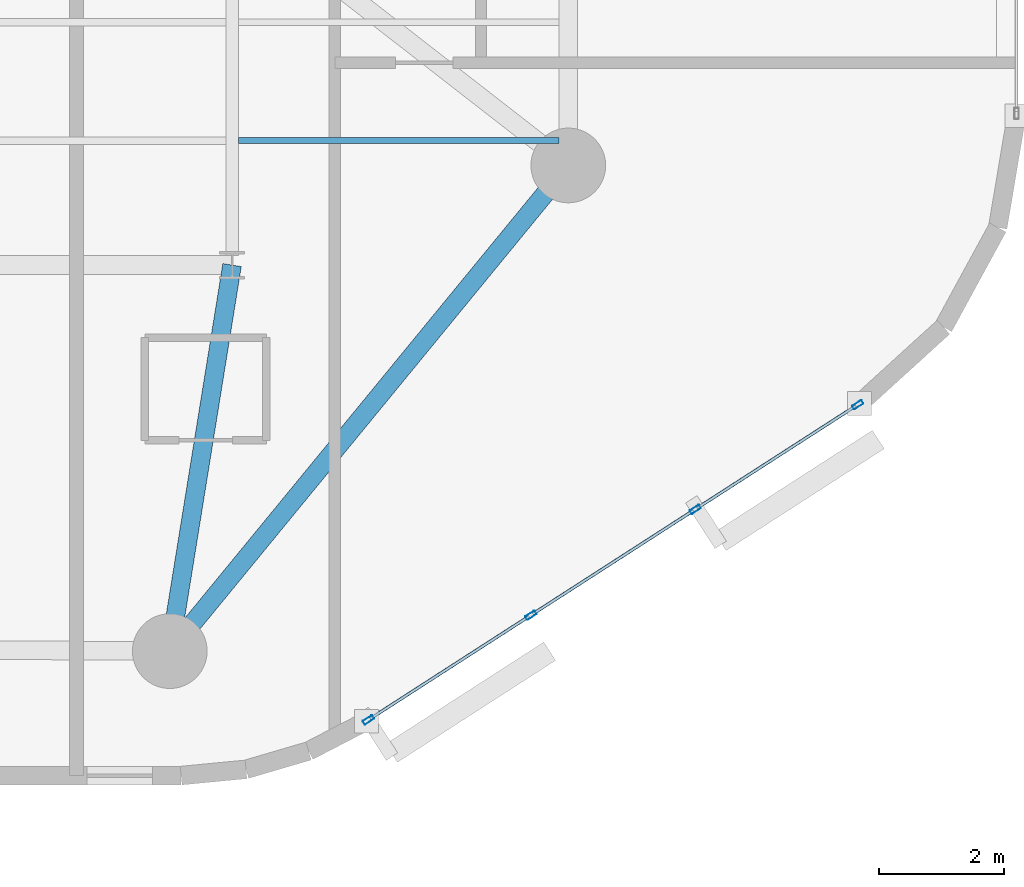
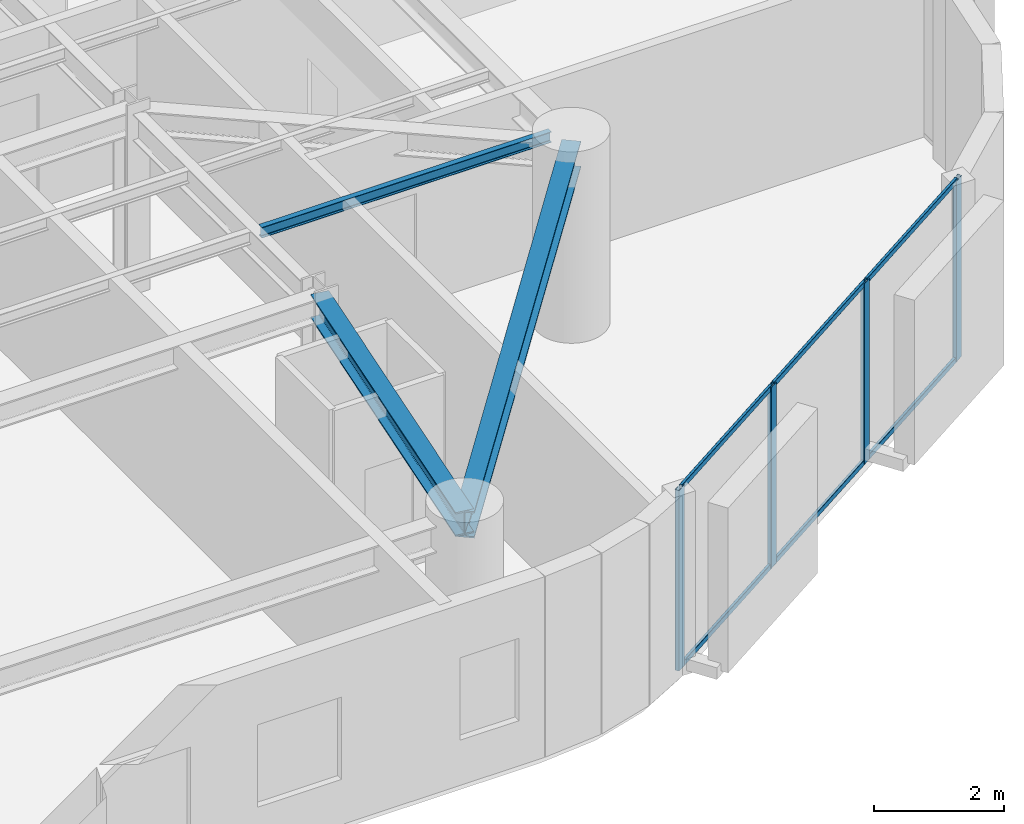
# One storey, part 2 of 15: 10 members, 3 beams, 1 element without a shape of its own.
"""IFC4 building model written with IfcOpenShell, lengths in metres."""

from ifc_helpers import new_model, si_unit, direction, frame, origin, origin_2d, place, context, subcontext, project, spatial, hollow_rectangle, i_section, extrude, material, layer, layer_set, material_profile, profile_set, type_object, element, aggregate, save


model = new_model("IFC4")

# Units and contexts
model_context = context("Model", 3, precision=1e-05, world=origin(), true_north=direction((0.0, 1.0)))
body_context = subcontext(model_context, "Body", "Model", "MODEL_VIEW")
ifc_project = project(units=[si_unit("LENGTHUNIT", "METRE"), si_unit("AREAUNIT", "SQUARE_METRE"), si_unit("VOLUMEUNIT", "CUBIC_METRE"), si_unit("PLANEANGLEUNIT", "RADIAN"), si_unit("MASSUNIT", "GRAM", prefix="KILO")], contexts=[model_context])

# Site, building, storey
site_placement = place(None, origin())
site = spatial("IfcSite", under=ifc_project, at=site_placement, CompositionType="ELEMENT")
building_placement = place(site_placement, origin())
building = spatial("IfcBuilding", under=site, at=building_placement, Name="An Khanh Terracotta Commons", CompositionType="ELEMENT")
storey_placement = place(building_placement, frame((0.0, 0.0, 143.800048828125)))
storey = spatial("IfcBuildingStorey", under=building, at=storey_placement, Name="L37", CompositionType="ELEMENT", Elevation=143.800048828125)

# Beams
ifc_material_1 = material(Name="Steel S355J2", Category="steel")
ifc_material_profile_1 = material_profile(ifc_material_1, i_section(OverallWidth=0.300048828125, OverallDepth=0.449951171875, WebThickness=0.013916015625, FlangeThickness=0.02587890625, FilletRadius=0.027099609375, at=origin_2d()), Name="HEB450")
ifc_profile_set_1 = profile_set([ifc_material_profile_1], Name="Steel S355J2")
beam_type_1 = type_object("IfcBeamType", Name="BM-HEB450", PredefinedType="BEAM", material=ifc_profile_set_1)
beam_1_placement = place(storey_placement, frame((49.39990234375, 8.199951171875, 3.175048828125), z_axis=(0.159233661074, 0.987240923575, 0.0), x_axis=(-0.987240923575, 0.159233661074, 0.0)))
element("IfcBeam", 1, at=beam_1_placement, inside=storey, type_object=beam_type_1, Name="L37 Mega-Column Tie Girder 2", PredefinedType="BEAM", context=body_context, shape_type="SweptSolid", body=[
    extrude(i_section(OverallWidth=0.300048828125, OverallDepth=0.449951171875, WebThickness=0.013916015625, FlangeThickness=0.02587890625, FilletRadius=0.027099609375, at=origin_2d()), origin(), (0.0, 0.0, 1.0), 6.280029296875),
])
ifc_material_profile_2 = material_profile(ifc_material_1, i_section(OverallWidth=0.300048828125, OverallDepth=0.5, WebThickness=0.014404296875, FlangeThickness=0.028076171875, FilletRadius=0.027099609375, at=origin_2d()), Name="HEB500")
ifc_profile_set_2 = profile_set([ifc_material_profile_2], Name="Steel S355J2")
beam_type_2 = type_object("IfcBeamType", Name="BM-HEB500", PredefinedType="BEAM", material=ifc_profile_set_2)
beam_2_placement = place(storey_placement, frame((49.39990234375, 8.199951171875, 3.14990234375), z_axis=(0.634322915223, 0.7730681983, 0.0), x_axis=(-0.7730681983, 0.634322915223, 0.0)))
element("IfcBeam", 2, at=beam_2_placement, inside=storey, type_object=beam_type_2, Name="L37 Perimeter Ring Spandrel 2", PredefinedType="BEAM", context=body_context, shape_type="SweptSolid", body=[
    extrude(i_section(OverallWidth=0.300048828125, OverallDepth=0.5, WebThickness=0.014404296875, FlangeThickness=0.028076171875, FilletRadius=0.027099609375, at=origin_2d()), origin(), (0.0, 0.0, 1.0), 10.08984375),
])
ifc_material_profile_3 = material_profile(ifc_material_1, i_section(OverallWidth=0.10009765625, OverallDepth=0.199951171875, WebThickness=0.005615234375, FlangeThickness=0.008544921875, FilletRadius=0.011962890625, at=origin_2d()), Name="IPE200")
ifc_profile_set_3 = profile_set([ifc_material_profile_3], Name="Steel S355J2")
beam_type_3 = type_object("IfcBeamType", Name="BM-IPE200", PredefinedType="JOIST", material=ifc_profile_set_3)
beam_3_placement = place(storey_placement, frame((50.5, 16.39990234375, 3.300048828125), z_axis=(1.0, 0.0, 0.0), x_axis=(0.0, 1.0, 0.0)))
element("IfcBeam", 3, at=beam_3_placement, inside=storey, type_object=beam_type_3, Name="L37 Riverfront Composite Joist 1", PredefinedType="JOIST", context=body_context, shape_type="SweptSolid", body=[
    extrude(i_section(OverallWidth=0.10009765625, OverallDepth=0.199951171875, WebThickness=0.005615234375, FlangeThickness=0.008544921875, FilletRadius=0.011962890625, at=origin_2d()), origin(), (0.0, 0.0, 1.0), 5.14990234375),
])

# Curtain wall, members
ifc_material_2 = material(Name="Anodised Aluminium 6063-T6", Category="aluminium")
ifc_layer = layer(ifc_material_2, 0.2099609375, Name="Anodised Aluminium 6063-T6")
ifc_layer_set = layer_set([ifc_layer], Name="Anodised Aluminium 6063-T6")
curtain_wall_type = type_object("IfcCurtainWallType", Name="CW-SYS-03", PredefinedType="USERDEFINED", material=ifc_layer_set)
curtain_wall_placement = place(storey_placement, origin())
curtain_wall = element("IfcCurtainWall", 4, at=curtain_wall_placement, inside=storey, type_object=curtain_wall_type, Name="L37 CW-03 Unitised Curtain Wall CW-L37-08", ObjectType="UNITISED CURTAIN WALL", PredefinedType="USERDEFINED")
ifc_material_profile_4 = material_profile(ifc_material_2, hollow_rectangle(XDim=0.070068359375, YDim=0.179931640625, WallThickness=0.00390625, InnerFilletRadius=0.00390625, OuterFilletRadius=0.008056640625, at=origin_2d()), Name="RHS180x70x4")
ifc_profile_set_4 = profile_set([ifc_material_profile_4], Name="Anodised Aluminium 6063-T6")
member_type_1 = type_object("IfcMemberType", Name="CWM-RHS180x70x4", PredefinedType="MULLION", material=ifc_profile_set_4)
member_1_placement = place(storey_placement, frame((52.58935546875, 7.094970703125, 0.0), z_axis=(0.0, 0.0, 1.0), x_axis=(-0.541497931062, 0.840702081986, 0.0)))
member_1 = element("IfcMember", 5, at=member_1_placement, type_object=member_type_1, Name="CW-03 mullion 1", PredefinedType="MULLION", context=body_context, shape_type="SweptSolid", body=[
    extrude(hollow_rectangle(XDim=0.070068359375, YDim=0.179931640625, WallThickness=0.00390625, InnerFilletRadius=0.00390625, OuterFilletRadius=0.008056640625, at=origin_2d()), origin(), (0.0, 0.0, 1.0), 3.39990234375),
])
member_2_placement = place(storey_placement, frame((55.19921875, 8.77587890625, 0.0), z_axis=(0.0, 0.0, 1.0), x_axis=(-0.541497931062, 0.840702081986, 0.0)))
member_2 = element("IfcMember", 6, at=member_2_placement, type_object=member_type_1, Name="CW-03 mullion 2", PredefinedType="MULLION", context=body_context, shape_type="SweptSolid", body=[
    extrude(hollow_rectangle(XDim=0.070068359375, YDim=0.179931640625, WallThickness=0.00390625, InnerFilletRadius=0.00390625, OuterFilletRadius=0.008056640625, at=origin_2d()), origin(), (0.0, 0.0, 1.0), 3.39990234375),
])
member_3_placement = place(storey_placement, frame((57.838623046875, 10.47607421875, 0.0), z_axis=(0.0, 0.0, 1.0), x_axis=(-0.541497931062, 0.840702081986, 0.0)))
member_3 = element("IfcMember", 7, at=member_3_placement, type_object=member_type_1, Name="CW-03 mullion 3", PredefinedType="MULLION", context=body_context, shape_type="SweptSolid", body=[
    extrude(hollow_rectangle(XDim=0.070068359375, YDim=0.179931640625, WallThickness=0.00390625, InnerFilletRadius=0.00390625, OuterFilletRadius=0.008056640625, at=origin_2d()), origin(), (0.0, 0.0, 1.0), 3.39990234375),
])
member_4_placement = place(storey_placement, frame((60.448486328125, 12.156982421875, 0.0), z_axis=(0.0, 0.0, 1.0), x_axis=(-0.541497931062, 0.840702081986, 0.0)))
member_4 = element("IfcMember", 8, at=member_4_placement, type_object=member_type_1, Name="CW-03 mullion 4", PredefinedType="MULLION", context=body_context, shape_type="SweptSolid", body=[
    extrude(hollow_rectangle(XDim=0.070068359375, YDim=0.179931640625, WallThickness=0.00390625, InnerFilletRadius=0.00390625, OuterFilletRadius=0.008056640625, at=origin_2d()), origin(), (0.0, 0.0, 1.0), 3.39990234375),
])
ifc_material_profile_5 = material_profile(ifc_material_2, hollow_rectangle(XDim=0.050048828125, YDim=0.10009765625, WallThickness=0.003173828125, InnerFilletRadius=0.003173828125, OuterFilletRadius=0.00634765625, at=origin_2d()), Name="RHS100x50x3.2")
ifc_profile_set_5 = profile_set([ifc_material_profile_5], Name="Anodised Aluminium 6063-T6")
member_type_2 = type_object("IfcMemberType", Name="CWT-RHS100x50x3.2", PredefinedType="USERDEFINED", material=ifc_profile_set_5)
member_5_placement = place(storey_placement, frame((52.618896484375, 7.114013671875, 0.02490234375), z_axis=(0.840710223453, 0.541485290826, 0.0), x_axis=(-0.541485290826, 0.840710223453, 0.0)))
member_5 = element("IfcMember", 9, at=member_5_placement, type_object=member_type_2, Name="CW-03 transom 1.1", ObjectType="TRANSOM", PredefinedType="USERDEFINED", context=body_context, shape_type="SweptSolid", body=[
    extrude(hollow_rectangle(XDim=0.050048828125, YDim=0.10009765625, WallThickness=0.003173828125, InnerFilletRadius=0.003173828125, OuterFilletRadius=0.00634765625, at=origin_2d()), origin(), (0.0, 0.0, 1.0), 3.034423828125),
])
member_6_placement = place(storey_placement, frame((52.618896484375, 7.114013671875, 3.375), z_axis=(0.840710223453, 0.541485290826, 0.0), x_axis=(-0.541485290826, 0.840710223453, 0.0)))
member_6 = element("IfcMember", 10, at=member_6_placement, type_object=member_type_2, Name="CW-03 transom 1.2", ObjectType="TRANSOM", PredefinedType="USERDEFINED", context=body_context, shape_type="SweptSolid", body=[
    extrude(hollow_rectangle(XDim=0.050048828125, YDim=0.10009765625, WallThickness=0.003173828125, InnerFilletRadius=0.003173828125, OuterFilletRadius=0.00634765625, at=origin_2d()), origin(), (0.0, 0.0, 1.0), 3.034423828125),
])
member_7_placement = place(storey_placement, frame((55.228759765625, 8.794921875, 0.02490234375), z_axis=(0.840707825526, 0.54148901383, 0.0), x_axis=(-0.54148901383, 0.840707825526, 0.0)))
member_7 = element("IfcMember", 11, at=member_7_placement, type_object=member_type_2, Name="CW-03 transom 2.1", ObjectType="TRANSOM", PredefinedType="USERDEFINED", context=body_context, shape_type="SweptSolid", body=[
    extrude(hollow_rectangle(XDim=0.050048828125, YDim=0.10009765625, WallThickness=0.003173828125, InnerFilletRadius=0.003173828125, OuterFilletRadius=0.00634765625, at=origin_2d()), origin(), (0.0, 0.0, 1.0), 3.069580078125),
])
member_8_placement = place(storey_placement, frame((55.228759765625, 8.794921875, 3.375), z_axis=(0.840707825526, 0.54148901383, 0.0), x_axis=(-0.54148901383, 0.840707825526, 0.0)))
member_8 = element("IfcMember", 12, at=member_8_placement, type_object=member_type_2, Name="CW-03 transom 2.2", ObjectType="TRANSOM", PredefinedType="USERDEFINED", context=body_context, shape_type="SweptSolid", body=[
    extrude(hollow_rectangle(XDim=0.050048828125, YDim=0.10009765625, WallThickness=0.003173828125, InnerFilletRadius=0.003173828125, OuterFilletRadius=0.00634765625, at=origin_2d()), origin(), (0.0, 0.0, 1.0), 3.069580078125),
])
member_9_placement = place(storey_placement, frame((57.8681640625, 10.494873046875, 0.02490234375), z_axis=(0.840673595852, 0.541542154626, 0.0), x_axis=(-0.541542154626, 0.840673595852, 0.0)))
member_9 = element("IfcMember", 13, at=member_9_placement, type_object=member_type_2, Name="CW-03 transom 3.1", ObjectType="TRANSOM", PredefinedType="USERDEFINED", context=body_context, shape_type="SweptSolid", body=[
    extrude(hollow_rectangle(XDim=0.050048828125, YDim=0.10009765625, WallThickness=0.003173828125, InnerFilletRadius=0.003173828125, OuterFilletRadius=0.00634765625, at=origin_2d()), origin(), (0.0, 0.0, 1.0), 3.034423828125),
])
member_10_placement = place(storey_placement, frame((57.8681640625, 10.494873046875, 3.375), z_axis=(0.840673595852, 0.541542154626, 0.0), x_axis=(-0.541542154626, 0.840673595852, 0.0)))
member_10 = element("IfcMember", 14, at=member_10_placement, type_object=member_type_2, Name="CW-03 transom 3.2", ObjectType="TRANSOM", PredefinedType="USERDEFINED", context=body_context, shape_type="SweptSolid", body=[
    extrude(hollow_rectangle(XDim=0.050048828125, YDim=0.10009765625, WallThickness=0.003173828125, InnerFilletRadius=0.003173828125, OuterFilletRadius=0.00634765625, at=origin_2d()), origin(), (0.0, 0.0, 1.0), 3.034423828125),
])
aggregate(curtain_wall, [member_1, member_2, member_3, member_4, member_5, member_6, member_7, member_8, member_9, member_10])

save(model, "model.ifc")
